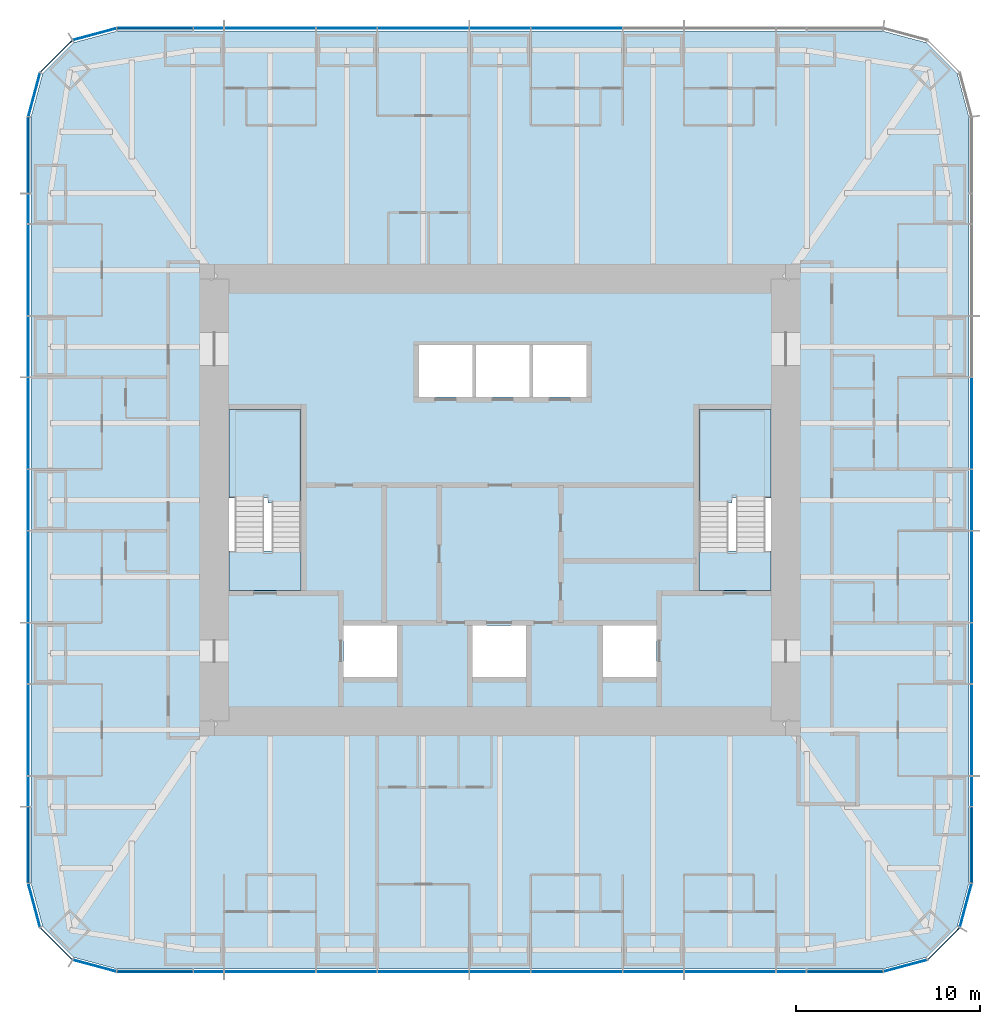
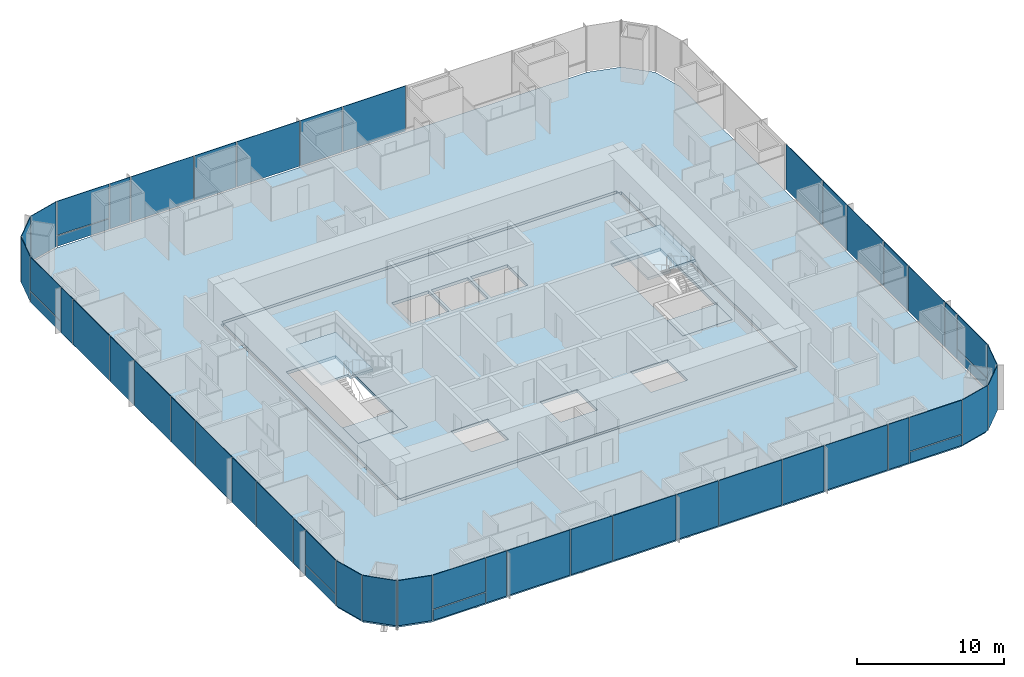
# One storey, part 7 of 13: 51 plates, 6 slabs, 9 elements without a shape of their own.
"""IFC4 building model written with IfcOpenShell, lengths in metres."""

from ifc_helpers import new_model, si_unit, direction, frame, origin, origin_2d, place, context, subcontext, project, spatial, polyline, rectangle, outline, extrude, material, layer, layer_set, type_object, element, aggregate, save


model = new_model("IFC4")

# Units and contexts
model_context = context("Model", 3, precision=1e-05, world=origin(), true_north=direction((0.0, 1.0)))
body_context = subcontext(model_context, "Body", "Model", "MODEL_VIEW")
ifc_project = project(units=[si_unit("LENGTHUNIT", "METRE"), si_unit("AREAUNIT", "SQUARE_METRE"), si_unit("VOLUMEUNIT", "CUBIC_METRE"), si_unit("PLANEANGLEUNIT", "RADIAN"), si_unit("MASSUNIT", "GRAM", prefix="KILO")], contexts=[model_context])

# Site, building, storey
site_placement = place(None, origin())
site = spatial("IfcSite", under=ifc_project, at=site_placement, CompositionType="ELEMENT")
building_placement = place(site_placement, origin())
building = spatial("IfcBuilding", under=site, at=building_placement, Name="Khuree Lantern Residences", CompositionType="ELEMENT")
storey_placement = place(building_placement, frame((0.0, 0.0, 267.0)))
storey = spatial("IfcBuildingStorey", under=building, at=storey_placement, Name="L67", CompositionType="ELEMENT", Elevation=267.0)

# Slab
ifc_material_1 = material(Name="Concrete C35/45", Category="concrete")
ifc_layer_1 = layer(ifc_material_1, 0.25)
ifc_layer_set_1 = layer_set([ifc_layer_1], Name="CFL250 CORE FLOOR SLAB 250")
slab_type_1 = type_object("IfcSlabType", Name="CFL250 CORE FLOOR SLAB 250", PredefinedType="FLOOR", material=ifc_layer_set_1)
slab_1_placement = place(storey_placement, frame((0.0, 0.0, -0.25)))
element("IfcSlab", 1, at=slab_1_placement, inside=storey, type_object=slab_type_1, Name="Core floor L67", PredefinedType="FLOOR", context=body_context, shape_type="SweptSolid", body=[
    extrude(outline(polyline([(-15.5, -12.0), (-15.5, 12.0), (15.5, 12.0), (15.5, -12.0), (-15.5, -12.0)]), holes=[polyline([(10.800048828125, 4.89990234375), (10.800048828125, -4.89990234375), (14.699951171875, -4.89990234375), (14.699951171875, 4.89990234375), (10.800048828125, 4.89990234375)]), polyline([(5.60009765625, -6.800048828125), (5.60009765625, -9.60009765625), (8.5, -9.60009765625), (8.5, -6.800048828125), (5.60009765625, -6.800048828125)]), polyline([(1.800048828125, 8.39990234375), (1.800048828125, 5.60009765625), (4.699951171875, 5.60009765625), (4.699951171875, 8.39990234375), (1.800048828125, 8.39990234375)]), polyline([(-1.300048828125, 8.39990234375), (-1.300048828125, 5.60009765625), (1.60009765625, 5.60009765625), (1.60009765625, 8.39990234375), (-1.300048828125, 8.39990234375)]), polyline([(-1.5, -6.800048828125), (-1.5, -9.60009765625), (1.39990234375, -9.60009765625), (1.39990234375, -6.800048828125), (-1.5, -6.800048828125)]), polyline([(-4.39990234375, 8.39990234375), (-4.39990234375, 5.60009765625), (-1.5, 5.60009765625), (-1.5, 8.39990234375), (-4.39990234375, 8.39990234375)]), polyline([(-8.5, -6.800048828125), (-8.5, -9.60009765625), (-5.60009765625, -9.60009765625), (-5.60009765625, -6.800048828125), (-8.5, -6.800048828125)]), polyline([(-14.699951171875, 4.89990234375), (-14.699951171875, -4.89990234375), (-10.800048828125, -4.89990234375), (-10.800048828125, 4.89990234375), (-14.699951171875, 4.89990234375)])]), origin(), (0.0, 0.0, 1.0), 0.25),
])

# Curtain wall, plates
ifc_material_2 = material(Name="Bronze anodised aluminium", Category="aluminium")
curtain_wall_type_1 = type_object("IfcCurtainWallType", Name="CW-T2 TOWER CORNER CURTAIN WALL", PredefinedType="USERDEFINED", material=ifc_material_2)
curtain_wall_1_placement = place(storey_placement, origin())
curtain_wall_1 = element("IfcCurtainWall", 2, at=curtain_wall_1_placement, inside=storey, type_object=curtain_wall_type_1, Name="L67 SOUTH-EAST CORNER CURTAIN WALL", ObjectType="Faceted corner curtain wall", PredefinedType="USERDEFINED")
ifc_material_3 = material(Name="Bronze tinted triple glazing", Category="glass")
ifc_layer_2 = layer(ifc_material_3, 0.048095703125)
ifc_layer_set_2 = layer_set([ifc_layer_2], Name="FACET PANEL P4")
plate_type_1 = type_object("IfcPlateType", Name="FACET PANEL P4", PredefinedType="CURTAIN_PANEL", material=ifc_layer_set_2)
plate_1_placement = place(storey_placement, frame((21.998046875, -25.279052734375, 0.0), z_axis=(0.0, 0.0, 1.0), x_axis=(0.965925832509, 0.258819021888, 0.0)))
plate_1 = element("IfcPlate", 3, at=plate_1_placement, type_object=plate_type_1, Name="L67 SOUTH-EAST CORNER PANEL 1.1", PredefinedType="CURTAIN_PANEL", context=body_context, shape_type="SweptSolid", body=[
    extrude(rectangle(XDim=2.40869140625, YDim=0.048095703125, at=origin_2d()), origin(), (0.0, 0.0, 1.0), 3.75),
])
plate_2_placement = place(storey_placement, frame((24.078369140625, -24.078369140625, 0.0), z_axis=(0.0, 0.0, 1.0), x_axis=(0.707106781187, 0.707106781187, 0.0)))
plate_2 = element("IfcPlate", 4, at=plate_2_placement, type_object=plate_type_1, Name="L67 SOUTH-EAST CORNER PANEL 2.1", PredefinedType="CURTAIN_PANEL", context=body_context, shape_type="SweptSolid", body=[
    extrude(rectangle(XDim=2.404541015625, YDim=0.048095703125, at=origin_2d()), origin(), (0.0, 0.0, 1.0), 3.75),
])
plate_3_placement = place(storey_placement, frame((25.279052734375, -21.998046875, 0.0), z_axis=(0.0, 0.0, 1.0), x_axis=(0.258819021888, 0.965925832509, 0.0)))
plate_3 = element("IfcPlate", 5, at=plate_3_placement, type_object=plate_type_1, Name="L67 SOUTH-EAST CORNER PANEL 3.1", PredefinedType="CURTAIN_PANEL", context=body_context, shape_type="SweptSolid", body=[
    extrude(rectangle(XDim=2.40869140625, YDim=0.048095703125, at=origin_2d()), origin(), (0.0, 0.0, 1.0), 3.75),
])
aggregate(curtain_wall_1, [plate_1, plate_2, plate_3])

curtain_wall_2_placement = place(storey_placement, origin())
curtain_wall_2 = element("IfcCurtainWall", 6, at=curtain_wall_2_placement, inside=storey, type_object=curtain_wall_type_1, Name="L67 NORTH-WEST CORNER CURTAIN WALL", ObjectType="Faceted corner curtain wall", PredefinedType="USERDEFINED")
plate_4_placement = place(storey_placement, frame((-21.998046875, 25.279052734375, 0.0), z_axis=(0.0, 0.0, 1.0), x_axis=(-0.965925832509, -0.258819021888, 0.0)))
plate_4 = element("IfcPlate", 7, at=plate_4_placement, type_object=plate_type_1, Name="L67 NORTH-WEST CORNER PANEL 29.1", PredefinedType="CURTAIN_PANEL", context=body_context, shape_type="SweptSolid", body=[
    extrude(rectangle(XDim=2.40869140625, YDim=0.048095703125, at=origin_2d()), origin(), (0.0, 0.0, 1.0), 3.75),
])
plate_5_placement = place(storey_placement, frame((-24.078369140625, 24.078369140625, 0.0), z_axis=(0.0, 0.0, 1.0), x_axis=(-0.707106781187, -0.707106781187, 0.0)))
plate_5 = element("IfcPlate", 8, at=plate_5_placement, type_object=plate_type_1, Name="L67 NORTH-WEST CORNER PANEL 30.1", PredefinedType="CURTAIN_PANEL", context=body_context, shape_type="SweptSolid", body=[
    extrude(rectangle(XDim=2.404541015625, YDim=0.048095703125, at=origin_2d()), origin(), (0.0, 0.0, 1.0), 3.75),
])
plate_6_placement = place(storey_placement, frame((-25.279052734375, 21.998046875, 0.0), z_axis=(0.0, 0.0, 1.0), x_axis=(-0.258819021888, -0.965925832509, 0.0)))
plate_6 = element("IfcPlate", 9, at=plate_6_placement, type_object=plate_type_1, Name="L67 NORTH-WEST CORNER PANEL 31.1", PredefinedType="CURTAIN_PANEL", context=body_context, shape_type="SweptSolid", body=[
    extrude(rectangle(XDim=2.40869140625, YDim=0.048095703125, at=origin_2d()), origin(), (0.0, 0.0, 1.0), 3.75),
])
aggregate(curtain_wall_2, [plate_4, plate_5, plate_6])

curtain_wall_3_placement = place(storey_placement, origin())
curtain_wall_3 = element("IfcCurtainWall", 10, at=curtain_wall_3_placement, inside=storey, type_object=curtain_wall_type_1, Name="L67 SOUTH-WEST CORNER CURTAIN WALL", ObjectType="Faceted corner curtain wall", PredefinedType="USERDEFINED")
plate_7_placement = place(storey_placement, frame((-25.279052734375, -21.998046875, 0.0), z_axis=(0.0, 0.0, 1.0), x_axis=(0.258819021888, -0.965925832509, 0.0)))
plate_7 = element("IfcPlate", 11, at=plate_7_placement, type_object=plate_type_1, Name="L67 SOUTH-WEST CORNER PANEL 43.1", PredefinedType="CURTAIN_PANEL", context=body_context, shape_type="SweptSolid", body=[
    extrude(rectangle(XDim=2.40869140625, YDim=0.048095703125, at=origin_2d()), origin(), (0.0, 0.0, 1.0), 3.75),
])
plate_8_placement = place(storey_placement, frame((-24.078369140625, -24.078369140625, 0.0), z_axis=(0.0, 0.0, 1.0), x_axis=(0.707106781187, -0.707106781187, 0.0)))
plate_8 = element("IfcPlate", 12, at=plate_8_placement, type_object=plate_type_1, Name="L67 SOUTH-WEST CORNER PANEL 44.1", PredefinedType="CURTAIN_PANEL", context=body_context, shape_type="SweptSolid", body=[
    extrude(rectangle(XDim=2.404541015625, YDim=0.048095703125, at=origin_2d()), origin(), (0.0, 0.0, 1.0), 3.75),
])
plate_9_placement = place(storey_placement, frame((-21.998046875, -25.279052734375, 0.0), z_axis=(0.0, 0.0, 1.0), x_axis=(0.965925832509, -0.258819021888, 0.0)))
plate_9 = element("IfcPlate", 13, at=plate_9_placement, type_object=plate_type_1, Name="L67 SOUTH-WEST CORNER PANEL 45.1", PredefinedType="CURTAIN_PANEL", context=body_context, shape_type="SweptSolid", body=[
    extrude(rectangle(XDim=2.40869140625, YDim=0.048095703125, at=origin_2d()), origin(), (0.0, 0.0, 1.0), 3.75),
])
aggregate(curtain_wall_3, [plate_7, plate_8, plate_9])

curtain_wall_type_2 = type_object("IfcCurtainWallType", Name="CW-T1 TOWER FACE CURTAIN WALL", PredefinedType="USERDEFINED", material=ifc_material_2)
curtain_wall_4_placement = place(storey_placement, origin())
curtain_wall_4 = element("IfcCurtainWall", 14, at=curtain_wall_4_placement, inside=storey, type_object=curtain_wall_type_2, Name="L67 EAST FACE CURTAIN WALL", ObjectType="Stick-built curtain wall", PredefinedType="USERDEFINED")
ifc_material_4 = material(Name="Bronze tinted triple glazing with a ceramic-fritted spandrel band", Category="glass")
ifc_layer_3 = layer(ifc_material_4, 0.048095703125)
ifc_layer_set_3 = layer_set([ifc_layer_3], Name="FIXED LIGHT PANEL P11")
plate_type_2 = type_object("IfcPlateType", Name="FIXED LIGHT PANEL P11", PredefinedType="CURTAIN_PANEL", material=ifc_layer_set_3)
plate_10_placement = place(storey_placement, frame((25.60009765625, -12.47998046875, 0.0), z_axis=(0.0, 0.0, 1.0), x_axis=(0.0, 1.0, 0.0)))
plate_10 = element("IfcPlate", 15, at=plate_10_placement, type_object=plate_type_2, Name="L67 EAST FACE PANEL 6.1", PredefinedType="CURTAIN_PANEL", context=body_context, shape_type="SweptSolid", body=[
    extrude(rectangle(XDim=4.927001953125, YDim=0.048095703125, at=origin_2d()), origin(), (0.0, 0.0, 1.0), 3.75),
])
plate_11_placement = place(storey_placement, frame((25.60009765625, -4.159912109375, 0.0), z_axis=(0.0, 0.0, 1.0), x_axis=(0.0, 1.0, 0.0)))
plate_11 = element("IfcPlate", 16, at=plate_11_placement, type_object=plate_type_2, Name="L67 EAST FACE PANEL 8.1", PredefinedType="CURTAIN_PANEL", context=body_context, shape_type="SweptSolid", body=[
    extrude(rectangle(XDim=4.927001953125, YDim=0.048095703125, at=origin_2d()), origin(), (0.0, 0.0, 1.0), 3.75),
])
plate_12_placement = place(storey_placement, frame((25.60009765625, 4.159912109375, 0.0), z_axis=(0.0, 0.0, 1.0), x_axis=(0.0, 1.0, 0.0)))
plate_12 = element("IfcPlate", 17, at=plate_12_placement, type_object=plate_type_2, Name="L67 EAST FACE PANEL 10.1", PredefinedType="CURTAIN_PANEL", context=body_context, shape_type="SweptSolid", body=[
    extrude(rectangle(XDim=4.927001953125, YDim=0.048095703125, at=origin_2d()), origin(), (0.0, 0.0, 1.0), 3.75),
])

curtain_wall_5_placement = place(storey_placement, origin())
curtain_wall_5 = element("IfcCurtainWall", 18, at=curtain_wall_5_placement, inside=storey, type_object=curtain_wall_type_2, Name="L67 NORTH FACE CURTAIN WALL", ObjectType="Stick-built curtain wall", PredefinedType="USERDEFINED")
plate_13_placement = place(storey_placement, frame((4.159912109375, 25.60009765625, 0.0), z_axis=(0.0, 0.0, 1.0), x_axis=(-1.0, 0.0, 0.0)))
plate_13 = element("IfcPlate", 19, at=plate_13_placement, type_object=plate_type_2, Name="L67 NORTH FACE PANEL 22.1", PredefinedType="CURTAIN_PANEL", context=body_context, shape_type="SweptSolid", body=[
    extrude(rectangle(XDim=4.927001953125, YDim=0.048095703125, at=origin_2d()), origin(), (0.0, 0.0, 1.0), 3.75),
])
plate_14_placement = place(storey_placement, frame((-4.159912109375, 25.60009765625, 0.0), z_axis=(0.0, 0.0, 1.0), x_axis=(-1.0, 0.0, 0.0)))
plate_14 = element("IfcPlate", 20, at=plate_14_placement, type_object=plate_type_2, Name="L67 NORTH FACE PANEL 24.1", PredefinedType="CURTAIN_PANEL", context=body_context, shape_type="SweptSolid", body=[
    extrude(rectangle(XDim=4.927001953125, YDim=0.048095703125, at=origin_2d()), origin(), (0.0, 0.0, 1.0), 3.75),
])
plate_15_placement = place(storey_placement, frame((-12.47998046875, 25.60009765625, 0.0), z_axis=(0.0, 0.0, 1.0), x_axis=(-1.0, 0.0, 0.0)))
plate_15 = element("IfcPlate", 21, at=plate_15_placement, type_object=plate_type_2, Name="L67 NORTH FACE PANEL 26.1", PredefinedType="CURTAIN_PANEL", context=body_context, shape_type="SweptSolid", body=[
    extrude(rectangle(XDim=4.927001953125, YDim=0.048095703125, at=origin_2d()), origin(), (0.0, 0.0, 1.0), 3.75),
])

curtain_wall_6_placement = place(storey_placement, origin())
curtain_wall_6 = element("IfcCurtainWall", 22, at=curtain_wall_6_placement, inside=storey, type_object=curtain_wall_type_2, Name="L67 WEST FACE CURTAIN WALL", ObjectType="Stick-built curtain wall", PredefinedType="USERDEFINED")
plate_16_placement = place(storey_placement, frame((-25.60009765625, 12.47998046875, 0.0), z_axis=(0.0, 0.0, 1.0), x_axis=(0.0, -1.0, 0.0)))
plate_16 = element("IfcPlate", 23, at=plate_16_placement, type_object=plate_type_2, Name="L67 WEST FACE PANEL 34.1", PredefinedType="CURTAIN_PANEL", context=body_context, shape_type="SweptSolid", body=[
    extrude(rectangle(XDim=4.927001953125, YDim=0.048095703125, at=origin_2d()), origin(), (0.0, 0.0, 1.0), 3.75),
])
plate_17_placement = place(storey_placement, frame((-25.60009765625, 4.159912109375, 0.0), z_axis=(0.0, 0.0, 1.0), x_axis=(0.0, -1.0, 0.0)))
plate_17 = element("IfcPlate", 24, at=plate_17_placement, type_object=plate_type_2, Name="L67 WEST FACE PANEL 36.1", PredefinedType="CURTAIN_PANEL", context=body_context, shape_type="SweptSolid", body=[
    extrude(rectangle(XDim=4.927001953125, YDim=0.048095703125, at=origin_2d()), origin(), (0.0, 0.0, 1.0), 3.75),
])
plate_18_placement = place(storey_placement, frame((-25.60009765625, -4.159912109375, 0.0), z_axis=(0.0, 0.0, 1.0), x_axis=(0.0, -1.0, 0.0)))
plate_18 = element("IfcPlate", 25, at=plate_18_placement, type_object=plate_type_2, Name="L67 WEST FACE PANEL 38.1", PredefinedType="CURTAIN_PANEL", context=body_context, shape_type="SweptSolid", body=[
    extrude(rectangle(XDim=4.927001953125, YDim=0.048095703125, at=origin_2d()), origin(), (0.0, 0.0, 1.0), 3.75),
])
plate_19_placement = place(storey_placement, frame((-25.60009765625, -12.47998046875, 0.0), z_axis=(0.0, 0.0, 1.0), x_axis=(0.0, -1.0, 0.0)))
plate_19 = element("IfcPlate", 26, at=plate_19_placement, type_object=plate_type_2, Name="L67 WEST FACE PANEL 40.1", PredefinedType="CURTAIN_PANEL", context=body_context, shape_type="SweptSolid", body=[
    extrude(rectangle(XDim=4.927001953125, YDim=0.048095703125, at=origin_2d()), origin(), (0.0, 0.0, 1.0), 3.75),
])

curtain_wall_7_placement = place(storey_placement, origin())
curtain_wall_7 = element("IfcCurtainWall", 27, at=curtain_wall_7_placement, inside=storey, type_object=curtain_wall_type_2, Name="L67 SOUTH FACE CURTAIN WALL", ObjectType="Stick-built curtain wall", PredefinedType="USERDEFINED")
plate_20_placement = place(storey_placement, frame((-12.47998046875, -25.60009765625, 0.0), z_axis=(0.0, 0.0, 1.0), x_axis=(1.0, 0.0, 0.0)))
plate_20 = element("IfcPlate", 28, at=plate_20_placement, type_object=plate_type_2, Name="L67 SOUTH FACE PANEL 48.1", PredefinedType="CURTAIN_PANEL", context=body_context, shape_type="SweptSolid", body=[
    extrude(rectangle(XDim=4.927001953125, YDim=0.048095703125, at=origin_2d()), origin(), (0.0, 0.0, 1.0), 3.75),
])
plate_21_placement = place(storey_placement, frame((-4.159912109375, -25.60009765625, 0.0), z_axis=(0.0, 0.0, 1.0), x_axis=(1.0, 0.0, 0.0)))
plate_21 = element("IfcPlate", 29, at=plate_21_placement, type_object=plate_type_2, Name="L67 SOUTH FACE PANEL 50.1", PredefinedType="CURTAIN_PANEL", context=body_context, shape_type="SweptSolid", body=[
    extrude(rectangle(XDim=4.927001953125, YDim=0.048095703125, at=origin_2d()), origin(), (0.0, 0.0, 1.0), 3.75),
])
plate_22_placement = place(storey_placement, frame((4.159912109375, -25.60009765625, 0.0), z_axis=(0.0, 0.0, 1.0), x_axis=(1.0, 0.0, 0.0)))
plate_22 = element("IfcPlate", 30, at=plate_22_placement, type_object=plate_type_2, Name="L67 SOUTH FACE PANEL 52.1", PredefinedType="CURTAIN_PANEL", context=body_context, shape_type="SweptSolid", body=[
    extrude(rectangle(XDim=4.927001953125, YDim=0.048095703125, at=origin_2d()), origin(), (0.0, 0.0, 1.0), 3.75),
])
plate_23_placement = place(storey_placement, frame((12.47998046875, -25.60009765625, 0.0), z_axis=(0.0, 0.0, 1.0), x_axis=(1.0, 0.0, 0.0)))
plate_23 = element("IfcPlate", 31, at=plate_23_placement, type_object=plate_type_2, Name="L67 SOUTH FACE PANEL 54.1", PredefinedType="CURTAIN_PANEL", context=body_context, shape_type="SweptSolid", body=[
    extrude(rectangle(XDim=4.927001953125, YDim=0.048095703125, at=origin_2d()), origin(), (0.0, 0.0, 1.0), 3.75),
])

# Slab
ifc_layer_4 = layer(ifc_material_1, 0.25)
ifc_layer_set_4 = layer_set([ifc_layer_4], Name="FS250 FLOOR SLAB 250")
slab_type_2 = type_object("IfcSlabType", Name="FS250 FLOOR SLAB 250", PredefinedType="FLOOR", material=ifc_layer_set_4)
slab_2_placement = place(storey_placement, frame((0.0, 0.0, -0.25)))
element("IfcSlab", 32, at=slab_2_placement, inside=storey, type_object=slab_type_2, Name="Floor slab L67", PredefinedType="FLOOR", context=body_context, shape_type="SweptSolid", body=[
    extrude(outline(polyline([(-23.125, -24.826904296875), (-24.826904296875, -23.125), (-25.449951171875, -20.800048828125), (-25.449951171875, 20.800048828125), (-24.826904296875, 23.125), (-23.125, 24.826904296875), (-20.800048828125, 25.449951171875), (20.800048828125, 25.449951171875), (23.125, 24.826904296875), (24.826904296875, 23.125), (25.449951171875, 20.800048828125), (25.449951171875, -20.800048828125), (24.826904296875, -23.125), (23.125, -24.826904296875), (20.800048828125, -25.449951171875), (-20.800048828125, -25.449951171875), (-23.125, -24.826904296875)]), holes=[polyline([(15.75, 12.0), (15.5, 12.0), (15.5, 12.25), (-15.5, 12.25), (-15.5, 12.0), (-15.75, 12.0), (-15.75, -12.0), (-15.5, -12.0), (-15.5, -12.25), (15.5, -12.25), (15.5, -12.0), (15.75, -12.0), (15.75, 12.0)])]), origin(), (0.0, 0.0, 1.0), 0.25),
])

# Plate
ifc_material_5 = material(Name="Bronze tinted triple glazing, two aluminium-framed sashes in one frame", Category="aluminium")
ifc_layer_5 = layer(ifc_material_5, 0.048095703125)
ifc_layer_set_5 = layer_set([ifc_layer_5], Name="SASH PAIR PANEL P12")
plate_type_3 = type_object("IfcPlateType", Name="SASH PAIR PANEL P12", PredefinedType="CURTAIN_PANEL", material=ifc_layer_set_5)
plate_24_placement = place(storey_placement, frame((25.60009765625, -8.320068359375, 0.0), z_axis=(0.0, 0.0, 1.0), x_axis=(0.0, 1.0, 0.0)))
plate_24 = element("IfcPlate", 33, at=plate_24_placement, type_object=plate_type_3, Name="L67 EAST FACE PANEL 7.1", PredefinedType="CURTAIN_PANEL", context=body_context, shape_type="SweptSolid", body=[
    extrude(rectangle(XDim=3.262939453125, YDim=0.048095703125, at=origin_2d()), origin(), (0.0, 0.0, 1.0), 3.75),
])

plate_25_placement = place(storey_placement, frame((25.60009765625, 0.0, 0.0), z_axis=(0.0, 0.0, 1.0), x_axis=(0.0, 1.0, 0.0)))
plate_25 = element("IfcPlate", 34, at=plate_25_placement, type_object=plate_type_3, Name="L67 EAST FACE PANEL 9.1", PredefinedType="CURTAIN_PANEL", context=body_context, shape_type="SweptSolid", body=[
    extrude(rectangle(XDim=3.262939453125, YDim=0.048095703125, at=origin_2d()), origin(), (0.0, 0.0, 1.0), 3.75),
])

plate_26_placement = place(storey_placement, frame((0.0, 25.60009765625, 0.0), z_axis=(0.0, 0.0, 1.0), x_axis=(-1.0, 0.0, 0.0)))
plate_26 = element("IfcPlate", 35, at=plate_26_placement, type_object=plate_type_3, Name="L67 NORTH FACE PANEL 23.1", PredefinedType="CURTAIN_PANEL", context=body_context, shape_type="SweptSolid", body=[
    extrude(rectangle(XDim=3.262939453125, YDim=0.048095703125, at=origin_2d()), origin(), (0.0, 0.0, 1.0), 3.75),
])

plate_27_placement = place(storey_placement, frame((-8.320068359375, 25.60009765625, 0.0), z_axis=(0.0, 0.0, 1.0), x_axis=(-1.0, 0.0, 0.0)))
plate_27 = element("IfcPlate", 36, at=plate_27_placement, type_object=plate_type_3, Name="L67 NORTH FACE PANEL 25.1", PredefinedType="CURTAIN_PANEL", context=body_context, shape_type="SweptSolid", body=[
    extrude(rectangle(XDim=3.262939453125, YDim=0.048095703125, at=origin_2d()), origin(), (0.0, 0.0, 1.0), 3.75),
])

plate_28_placement = place(storey_placement, frame((-25.60009765625, 8.320068359375, 0.0), z_axis=(0.0, 0.0, 1.0), x_axis=(0.0, -1.0, 0.0)))
plate_28 = element("IfcPlate", 37, at=plate_28_placement, type_object=plate_type_3, Name="L67 WEST FACE PANEL 35.1", PredefinedType="CURTAIN_PANEL", context=body_context, shape_type="SweptSolid", body=[
    extrude(rectangle(XDim=3.262939453125, YDim=0.048095703125, at=origin_2d()), origin(), (0.0, 0.0, 1.0), 3.75),
])

plate_29_placement = place(storey_placement, frame((-25.60009765625, 0.0, 0.0), z_axis=(0.0, 0.0, 1.0), x_axis=(0.0, -1.0, 0.0)))
plate_29 = element("IfcPlate", 38, at=plate_29_placement, type_object=plate_type_3, Name="L67 WEST FACE PANEL 37.1", PredefinedType="CURTAIN_PANEL", context=body_context, shape_type="SweptSolid", body=[
    extrude(rectangle(XDim=3.262939453125, YDim=0.048095703125, at=origin_2d()), origin(), (0.0, 0.0, 1.0), 3.75),
])

plate_30_placement = place(storey_placement, frame((-25.60009765625, -8.320068359375, 0.0), z_axis=(0.0, 0.0, 1.0), x_axis=(0.0, -1.0, 0.0)))
plate_30 = element("IfcPlate", 39, at=plate_30_placement, type_object=plate_type_3, Name="L67 WEST FACE PANEL 39.1", PredefinedType="CURTAIN_PANEL", context=body_context, shape_type="SweptSolid", body=[
    extrude(rectangle(XDim=3.262939453125, YDim=0.048095703125, at=origin_2d()), origin(), (0.0, 0.0, 1.0), 3.75),
])

plate_31_placement = place(storey_placement, frame((-8.320068359375, -25.60009765625, 0.0), z_axis=(0.0, 0.0, 1.0), x_axis=(1.0, 0.0, 0.0)))
plate_31 = element("IfcPlate", 40, at=plate_31_placement, type_object=plate_type_3, Name="L67 SOUTH FACE PANEL 49.1", PredefinedType="CURTAIN_PANEL", context=body_context, shape_type="SweptSolid", body=[
    extrude(rectangle(XDim=3.262939453125, YDim=0.048095703125, at=origin_2d()), origin(), (0.0, 0.0, 1.0), 3.75),
])

plate_32_placement = place(storey_placement, frame((0.0, -25.60009765625, 0.0), z_axis=(0.0, 0.0, 1.0), x_axis=(1.0, 0.0, 0.0)))
plate_32 = element("IfcPlate", 41, at=plate_32_placement, type_object=plate_type_3, Name="L67 SOUTH FACE PANEL 51.1", PredefinedType="CURTAIN_PANEL", context=body_context, shape_type="SweptSolid", body=[
    extrude(rectangle(XDim=3.262939453125, YDim=0.048095703125, at=origin_2d()), origin(), (0.0, 0.0, 1.0), 3.75),
])

plate_33_placement = place(storey_placement, frame((8.320068359375, -25.60009765625, 0.0), z_axis=(0.0, 0.0, 1.0), x_axis=(1.0, 0.0, 0.0)))
plate_33 = element("IfcPlate", 42, at=plate_33_placement, type_object=plate_type_3, Name="L67 SOUTH FACE PANEL 53.1", PredefinedType="CURTAIN_PANEL", context=body_context, shape_type="SweptSolid", body=[
    extrude(rectangle(XDim=3.262939453125, YDim=0.048095703125, at=origin_2d()), origin(), (0.0, 0.0, 1.0), 3.75),
])

ifc_material_6 = material(Name="Bronze tinted triple glazing, aluminium-framed sash", Category="aluminium")
ifc_layer_6 = layer(ifc_material_6, 0.048095703125)
ifc_layer_set_6 = layer_set([ifc_layer_6], Name="SASH PANEL P3")
plate_type_4 = type_object("IfcPlateType", Name="SASH PANEL P3", PredefinedType="CURTAIN_PANEL", material=ifc_layer_set_6)
plate_34_placement = place(storey_placement, frame((25.60009765625, -15.80810546875, 0.0), z_axis=(0.0, 0.0, 1.0), x_axis=(0.0, 1.0, 0.0)))
plate_34 = element("IfcPlate", 43, at=plate_34_placement, type_object=plate_type_4, Name="L67 EAST FACE PANEL 5.1", PredefinedType="CURTAIN_PANEL", context=body_context, shape_type="SweptSolid", body=[
    extrude(rectangle(XDim=1.59912109375, YDim=0.048095703125, at=origin_2d()), origin(), (0.0, 0.0, 1.0), 3.75),
])

plate_35_placement = place(storey_placement, frame((-15.80810546875, 25.60009765625, 0.0), z_axis=(0.0, 0.0, 1.0), x_axis=(-1.0, 0.0, 0.0)))
plate_35 = element("IfcPlate", 44, at=plate_35_placement, type_object=plate_type_4, Name="L67 NORTH FACE PANEL 27.1", PredefinedType="CURTAIN_PANEL", context=body_context, shape_type="SweptSolid", body=[
    extrude(rectangle(XDim=1.59912109375, YDim=0.048095703125, at=origin_2d()), origin(), (0.0, 0.0, 1.0), 3.75),
])

plate_36_placement = place(storey_placement, frame((-25.60009765625, 15.80810546875, 0.0), z_axis=(0.0, 0.0, 1.0), x_axis=(0.0, -1.0, 0.0)))
plate_36 = element("IfcPlate", 45, at=plate_36_placement, type_object=plate_type_4, Name="L67 WEST FACE PANEL 33.1", PredefinedType="CURTAIN_PANEL", context=body_context, shape_type="SweptSolid", body=[
    extrude(rectangle(XDim=1.59912109375, YDim=0.048095703125, at=origin_2d()), origin(), (0.0, 0.0, 1.0), 3.75),
])

plate_37_placement = place(storey_placement, frame((-25.60009765625, -15.80810546875, 0.0), z_axis=(0.0, 0.0, 1.0), x_axis=(0.0, -1.0, 0.0)))
plate_37 = element("IfcPlate", 46, at=plate_37_placement, type_object=plate_type_4, Name="L67 WEST FACE PANEL 41.1", PredefinedType="CURTAIN_PANEL", context=body_context, shape_type="SweptSolid", body=[
    extrude(rectangle(XDim=1.59912109375, YDim=0.048095703125, at=origin_2d()), origin(), (0.0, 0.0, 1.0), 3.75),
])

plate_38_placement = place(storey_placement, frame((-15.80810546875, -25.60009765625, 0.0), z_axis=(0.0, 0.0, 1.0), x_axis=(1.0, 0.0, 0.0)))
plate_38 = element("IfcPlate", 47, at=plate_38_placement, type_object=plate_type_4, Name="L67 SOUTH FACE PANEL 47.1", PredefinedType="CURTAIN_PANEL", context=body_context, shape_type="SweptSolid", body=[
    extrude(rectangle(XDim=1.59912109375, YDim=0.048095703125, at=origin_2d()), origin(), (0.0, 0.0, 1.0), 3.75),
])

plate_39_placement = place(storey_placement, frame((15.80810546875, -25.60009765625, 0.0), z_axis=(0.0, 0.0, 1.0), x_axis=(1.0, 0.0, 0.0)))
plate_39 = element("IfcPlate", 48, at=plate_39_placement, type_object=plate_type_4, Name="L67 SOUTH FACE PANEL 55.1", PredefinedType="CURTAIN_PANEL", context=body_context, shape_type="SweptSolid", body=[
    extrude(rectangle(XDim=1.59912109375, YDim=0.048095703125, at=origin_2d()), origin(), (0.0, 0.0, 1.0), 3.75),
])

ifc_material_7 = material(Name="Bronze anodised aluminium insulated spandrel", Category="aluminium")
ifc_layer_7 = layer(ifc_material_7, 0.06005859375)
ifc_layer_set_7 = layer_set([ifc_layer_7], Name="SPANDREL PANEL P2")
plate_type_5 = type_object("IfcPlateType", Name="SPANDREL PANEL P2", PredefinedType="CURTAIN_PANEL", material=ifc_layer_set_7)
plate_40_placement = place(storey_placement, frame((25.60009765625, -18.7177734375, 0.0), z_axis=(0.0, 0.0, 1.0), x_axis=(0.0, 1.0, 0.0)))
plate_40 = element("IfcPlate", 49, at=plate_40_placement, type_object=plate_type_5, Name="L67 EAST FACE PANEL 4.1", PredefinedType="CURTAIN_PANEL", context=body_context, shape_type="SweptSolid", body=[
    extrude(rectangle(XDim=4.0908203125, YDim=0.06005859375, at=origin_2d()), origin(), (0.0, 0.0, 1.0), 0.867431640625),
])

plate_41_placement = place(storey_placement, frame((-18.7177734375, 25.60009765625, 0.0), z_axis=(0.0, 0.0, 1.0), x_axis=(-1.0, 0.0, 0.0)))
plate_41 = element("IfcPlate", 50, at=plate_41_placement, type_object=plate_type_5, Name="L67 NORTH FACE PANEL 28.1", PredefinedType="CURTAIN_PANEL", context=body_context, shape_type="SweptSolid", body=[
    extrude(rectangle(XDim=4.0908203125, YDim=0.06005859375, at=origin_2d()), origin(), (0.0, 0.0, 1.0), 0.867431640625),
])

plate_42_placement = place(storey_placement, frame((-25.60009765625, 18.7177734375, 0.0), z_axis=(0.0, 0.0, 1.0), x_axis=(0.0, -1.0, 0.0)))
plate_42 = element("IfcPlate", 51, at=plate_42_placement, type_object=plate_type_5, Name="L67 WEST FACE PANEL 32.1", PredefinedType="CURTAIN_PANEL", context=body_context, shape_type="SweptSolid", body=[
    extrude(rectangle(XDim=4.0908203125, YDim=0.06005859375, at=origin_2d()), origin(), (0.0, 0.0, 1.0), 0.867431640625),
])

plate_43_placement = place(storey_placement, frame((-25.60009765625, -18.7177734375, 0.0), z_axis=(0.0, 0.0, 1.0), x_axis=(0.0, -1.0, 0.0)))
plate_43 = element("IfcPlate", 52, at=plate_43_placement, type_object=plate_type_5, Name="L67 WEST FACE PANEL 42.1", PredefinedType="CURTAIN_PANEL", context=body_context, shape_type="SweptSolid", body=[
    extrude(rectangle(XDim=4.0908203125, YDim=0.06005859375, at=origin_2d()), origin(), (0.0, 0.0, 1.0), 0.867431640625),
])

plate_44_placement = place(storey_placement, frame((-18.7177734375, -25.60009765625, 0.0), z_axis=(0.0, 0.0, 1.0), x_axis=(1.0, 0.0, 0.0)))
plate_44 = element("IfcPlate", 53, at=plate_44_placement, type_object=plate_type_5, Name="L67 SOUTH FACE PANEL 46.1", PredefinedType="CURTAIN_PANEL", context=body_context, shape_type="SweptSolid", body=[
    extrude(rectangle(XDim=4.0908203125, YDim=0.06005859375, at=origin_2d()), origin(), (0.0, 0.0, 1.0), 0.867431640625),
])

plate_45_placement = place(storey_placement, frame((18.7177734375, -25.60009765625, 0.0), z_axis=(0.0, 0.0, 1.0), x_axis=(1.0, 0.0, 0.0)))
plate_45 = element("IfcPlate", 54, at=plate_45_placement, type_object=plate_type_5, Name="L67 SOUTH FACE PANEL 56.1", PredefinedType="CURTAIN_PANEL", context=body_context, shape_type="SweptSolid", body=[
    extrude(rectangle(XDim=4.0908203125, YDim=0.06005859375, at=origin_2d()), origin(), (0.0, 0.0, 1.0), 0.867431640625),
])

# Stair, slabs
ifc_material_8 = material(Name="Concrete C40/50", Category="concrete")
stair_type = type_object("IfcStairType", Name="STAIR ST1 HALF TURN 3600", PredefinedType="HALF_TURN_STAIR", material=ifc_material_8)
stair_1_placement = place(storey_placement, origin())
stair_1 = element("IfcStair", 55, at=stair_1_placement, inside=storey, type_object=stair_type, Name="Stair ST1", PredefinedType="HALF_TURN_STAIR")
ifc_layer_8 = layer(ifc_material_8, 0.199951171875)
ifc_layer_set_8 = layer_set([ifc_layer_8], Name="STAIR LANDING SL1 200")
slab_type_3 = type_object("IfcSlabType", Name="STAIR LANDING SL1 200", PredefinedType="LANDING", material=ifc_layer_set_8)
slab_3_placement = place(storey_placement, frame((0.0, 0.0, -0.199951171875)))
slab_3 = element("IfcSlab", 56, at=slab_3_placement, type_object=slab_type_3, Name="ST1 landing 1", PredefinedType="LANDING", context=body_context, shape_type="SweptSolid", body=[
    extrude(outline(polyline([(-14.699951171875, -4.89990234375), (-10.800048828125, -4.89990234375), (-10.800048828125, -2.760009765625), (-14.699951171875, -2.760009765625), (-14.699951171875, -4.89990234375)])), origin(), (0.0, 0.0, 1.0), 0.199951171875),
])
slab_4_placement = place(storey_placement, frame((0.0, 0.0, 1.756591796875)))
slab_4 = element("IfcSlab", 57, at=slab_4_placement, type_object=slab_type_3, Name="ST1 landing 2", PredefinedType="LANDING", context=body_context, shape_type="SweptSolid", body=[
    extrude(outline(polyline([(-14.699951171875, 0.1201171875), (-14.699951171875, 4.89990234375), (-10.800048828125, 4.89990234375), (-10.800048828125, -0.159912109375), (-12.60009765625, -0.159912109375), (-12.60009765625, 0.1201171875), (-14.699951171875, 0.1201171875)])), origin(), (0.0, 0.0, 1.0), 0.199951171875),
])
aggregate(stair_1, [slab_3, slab_4])

stair_2_placement = place(storey_placement, origin())
stair_2 = element("IfcStair", 58, at=stair_2_placement, inside=storey, type_object=stair_type, Name="Stair ST2", PredefinedType="HALF_TURN_STAIR")
slab_5_placement = place(storey_placement, frame((0.0, 0.0, -0.199951171875)))
slab_5 = element("IfcSlab", 59, at=slab_5_placement, type_object=slab_type_3, Name="ST2 landing 1", PredefinedType="LANDING", context=body_context, shape_type="SweptSolid", body=[
    extrude(outline(polyline([(10.800048828125, -4.89990234375), (14.699951171875, -4.89990234375), (14.699951171875, -2.760009765625), (10.800048828125, -2.760009765625), (10.800048828125, -4.89990234375)])), origin(), (0.0, 0.0, 1.0), 0.199951171875),
])
slab_6_placement = place(storey_placement, frame((0.0, 0.0, 1.756591796875)))
slab_6 = element("IfcSlab", 60, at=slab_6_placement, type_object=slab_type_3, Name="ST2 landing 2", PredefinedType="LANDING", context=body_context, shape_type="SweptSolid", body=[
    extrude(outline(polyline([(14.699951171875, 4.89990234375), (14.699951171875, 0.1201171875), (12.60009765625, 0.1201171875), (12.60009765625, -0.159912109375), (10.800048828125, -0.159912109375), (10.800048828125, 4.89990234375), (14.699951171875, 4.89990234375)])), origin(), (0.0, 0.0, 1.0), 0.199951171875),
])
aggregate(stair_2, [slab_5, slab_6])

# Plate
ifc_layer_9 = layer(ifc_material_3, 0.048095703125)
ifc_layer_set_9 = layer_set([ifc_layer_9], Name="VISION PANEL P1")
plate_type_6 = type_object("IfcPlateType", Name="VISION PANEL P1", PredefinedType="CURTAIN_PANEL", material=ifc_layer_set_9)
plate_46_placement = place(storey_placement, frame((25.60009765625, -18.71826171875, 0.9326171875), z_axis=(0.0, 0.0, 1.0), x_axis=(0.0, 1.0, 0.0)))
plate_46 = element("IfcPlate", 61, at=plate_46_placement, type_object=plate_type_6, Name="L67 EAST FACE PANEL 4.2", PredefinedType="CURTAIN_PANEL", context=body_context, shape_type="SweptSolid", body=[
    extrude(rectangle(XDim=4.091552734375, YDim=0.048095703125, at=origin_2d()), origin(), (0.0, 0.0, 1.0), 2.8173828125),
])

aggregate(curtain_wall_4, [plate_40, plate_46, plate_34, plate_10, plate_24, plate_11, plate_25, plate_12])

plate_47_placement = place(storey_placement, frame((-18.71826171875, 25.60009765625, 0.9326171875), z_axis=(0.0, 0.0, 1.0), x_axis=(-1.0, 0.0, 0.0)))
plate_47 = element("IfcPlate", 62, at=plate_47_placement, type_object=plate_type_6, Name="L67 NORTH FACE PANEL 28.2", PredefinedType="CURTAIN_PANEL", context=body_context, shape_type="SweptSolid", body=[
    extrude(rectangle(XDim=4.091552734375, YDim=0.048095703125, at=origin_2d()), origin(), (0.0, 0.0, 1.0), 2.8173828125),
])

aggregate(curtain_wall_5, [plate_13, plate_26, plate_14, plate_27, plate_15, plate_35, plate_41, plate_47])

plate_48_placement = place(storey_placement, frame((-25.60009765625, 18.71826171875, 0.9326171875), z_axis=(0.0, 0.0, 1.0), x_axis=(0.0, -1.0, 0.0)))
plate_48 = element("IfcPlate", 63, at=plate_48_placement, type_object=plate_type_6, Name="L67 WEST FACE PANEL 32.2", PredefinedType="CURTAIN_PANEL", context=body_context, shape_type="SweptSolid", body=[
    extrude(rectangle(XDim=4.091552734375, YDim=0.048095703125, at=origin_2d()), origin(), (0.0, 0.0, 1.0), 2.8173828125),
])

plate_49_placement = place(storey_placement, frame((-25.60009765625, -18.71826171875, 0.9326171875), z_axis=(0.0, 0.0, 1.0), x_axis=(0.0, -1.0, 0.0)))
plate_49 = element("IfcPlate", 64, at=plate_49_placement, type_object=plate_type_6, Name="L67 WEST FACE PANEL 42.2", PredefinedType="CURTAIN_PANEL", context=body_context, shape_type="SweptSolid", body=[
    extrude(rectangle(XDim=4.091552734375, YDim=0.048095703125, at=origin_2d()), origin(), (0.0, 0.0, 1.0), 2.8173828125),
])

aggregate(curtain_wall_6, [plate_42, plate_48, plate_36, plate_16, plate_28, plate_17, plate_29, plate_18, plate_30, plate_19, plate_37, plate_43, plate_49])

plate_50_placement = place(storey_placement, frame((-18.71826171875, -25.60009765625, 0.9326171875), z_axis=(0.0, 0.0, 1.0), x_axis=(1.0, 0.0, 0.0)))
plate_50 = element("IfcPlate", 65, at=plate_50_placement, type_object=plate_type_6, Name="L67 SOUTH FACE PANEL 46.2", PredefinedType="CURTAIN_PANEL", context=body_context, shape_type="SweptSolid", body=[
    extrude(rectangle(XDim=4.091552734375, YDim=0.048095703125, at=origin_2d()), origin(), (0.0, 0.0, 1.0), 2.8173828125),
])

plate_51_placement = place(storey_placement, frame((18.71826171875, -25.60009765625, 0.9326171875), z_axis=(0.0, 0.0, 1.0), x_axis=(1.0, 0.0, 0.0)))
plate_51 = element("IfcPlate", 66, at=plate_51_placement, type_object=plate_type_6, Name="L67 SOUTH FACE PANEL 56.2", PredefinedType="CURTAIN_PANEL", context=body_context, shape_type="SweptSolid", body=[
    extrude(rectangle(XDim=4.091552734375, YDim=0.048095703125, at=origin_2d()), origin(), (0.0, 0.0, 1.0), 2.8173828125),
])

aggregate(curtain_wall_7, [plate_44, plate_50, plate_38, plate_20, plate_31, plate_21, plate_32, plate_22, plate_33, plate_23, plate_39, plate_45, plate_51])

save(model, "model.ifc")
